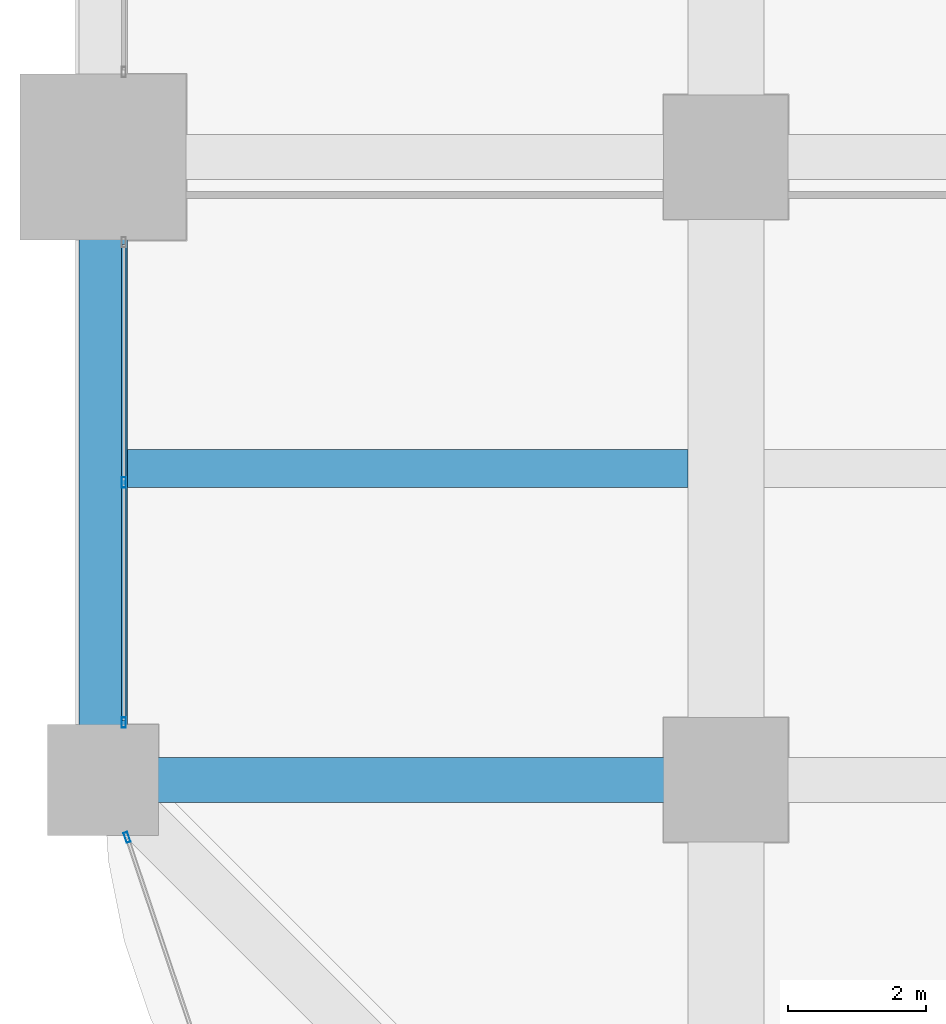
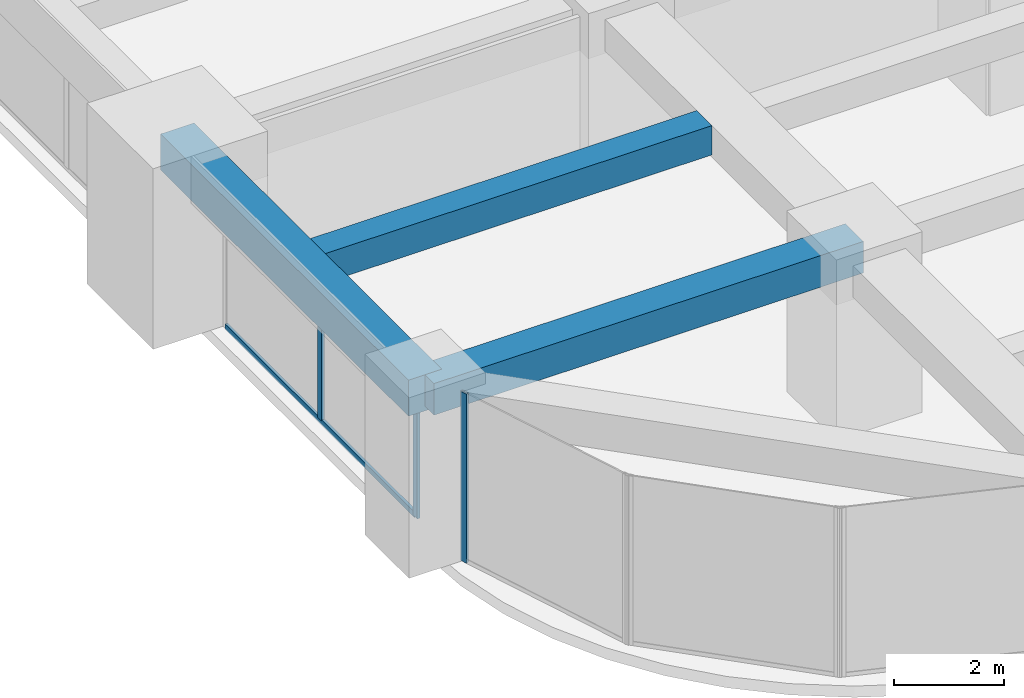
# One storey, part 4 of 39: 4 members, 3 beams, 2 elements without a shape of their own.
"""IFC4 building model written with IfcOpenShell, lengths in metres."""

from ifc_helpers import new_model, si_unit, direction, frame, origin, origin_2d, place, context, subcontext, project, spatial, rectangle, hollow_rectangle, extrude, material, material_profile, profile_set, type_object, element, aggregate, save


model = new_model("IFC4")

# Units and contexts
model_context = context("Model", 3, precision=1e-05, world=origin(), true_north=direction((0.0, 1.0)))
body_context = subcontext(model_context, "Body", "Model", "MODEL_VIEW")
ifc_project = project(units=[si_unit("LENGTHUNIT", "METRE"), si_unit("AREAUNIT", "SQUARE_METRE"), si_unit("VOLUMEUNIT", "CUBIC_METRE"), si_unit("PLANEANGLEUNIT", "RADIAN"), si_unit("MASSUNIT", "GRAM", prefix="KILO")], contexts=[model_context])

# Site, building, storey
site_placement = place(None, origin())
site = spatial("IfcSite", under=ifc_project, at=site_placement, CompositionType="ELEMENT")
building_placement = place(site_placement, origin())
building = spatial("IfcBuilding", under=site, at=building_placement, Name="Zorevar Civic Tower", CompositionType="ELEMENT")
storey_placement = place(building_placement, frame((0.0, 0.0, 125.0)))
storey = spatial("IfcBuildingStorey", under=building, at=storey_placement, Name="L30", CompositionType="ELEMENT", Elevation=125.0)

# Beams
ifc_material_1 = material(Name="Concrete C50/60", Category="concrete")
ifc_material_profile_1 = material_profile(ifc_material_1, rectangle(XDim=0.550048828125, YDim=0.64990234375, at=origin_2d()), Name="RC 550x650")
ifc_profile_set_1 = profile_set([ifc_material_profile_1], Name="Concrete C50/60")
beam_type_1 = type_object("IfcBeamType", Name="Beam RC 550x650", PredefinedType="BEAM", material=ifc_profile_set_1)
beam_1_placement = place(storey_placement, frame((0.35009765625, 13.5, 3.425048828125), z_axis=(1.0, 0.0, 0.0), x_axis=(0.0, 1.0, 0.0)))
element("IfcBeam", 1, at=beam_1_placement, inside=storey, type_object=beam_type_1, Name="Secondary beam L31", PredefinedType="BEAM", context=body_context, shape_type="SweptSolid", body=[
    extrude(rectangle(XDim=0.550048828125, YDim=0.64990234375, at=origin_2d()), origin(), (0.0, 0.0, 1.0), 8.099853515625),
])
ifc_material_2 = material(Name="Concrete C50/60", Category="concrete")
ifc_material_profile_2 = material_profile(ifc_material_2, rectangle(XDim=0.64990234375, YDim=0.699951171875, at=origin_2d()), Name="RC 650x700")
ifc_profile_set_2 = profile_set([ifc_material_profile_2], Name="Concrete C50/60")
beam_type_2 = type_object("IfcBeamType", Name="Beam RC 650x700", PredefinedType="BEAM", material=ifc_profile_set_2)
beam_2_placement = place(storey_placement, frame((0.0, 9.0, 3.39990234375), z_axis=(1.0, 0.0, 0.0), x_axis=(0.0, 1.0, 0.0)))
element("IfcBeam", 2, at=beam_2_placement, inside=storey, type_object=beam_type_2, Name="Girder L31", PredefinedType="BEAM", context=body_context, shape_type="SweptSolid", body=[
    extrude(rectangle(XDim=0.64990234375, YDim=0.699951171875, at=origin_2d()), origin(), (0.0, 0.0, 1.0), 9.0),
])

# Curtain wall, members
ifc_material_3 = material(Name="Dark grey solar-control glass in black aluminium frame", Category="aluminium")
curtain_wall_type = type_object("IfcCurtainWallType", Name="Curtain wall CW3 mid zone", PredefinedType="NOTDEFINED", material=ifc_material_3)
curtain_wall_1_placement = place(storey_placement, origin())
curtain_wall_1 = element("IfcCurtainWall", 3, at=curtain_wall_1_placement, inside=storey, type_object=curtain_wall_type, Name="CW3 L30", PredefinedType="NOTDEFINED")
ifc_material_4 = material(Name="Aluminium, black anodised", Category="aluminium")
ifc_material_profile_3 = material_profile(ifc_material_4, hollow_rectangle(XDim=0.06005859375, YDim=0.14990234375, WallThickness=0.00390625, at=origin_2d()), Name="AL 150x60x4")
ifc_profile_set_3 = profile_set([ifc_material_profile_3], Name="Aluminium, black anodised")
member_type_1 = type_object("IfcMemberType", Name="CW3 mullion AL 150x60x4", PredefinedType="MULLION", material=ifc_profile_set_3)
member_1_placement = place(storey_placement, frame((0.300048828125, 9.830078125, 0.0), z_axis=(0.0, 0.0, 1.0), x_axis=(-1.0, 0.0, 0.0)))
member_1 = element("IfcMember", 4, at=member_1_placement, type_object=member_type_1, Name="CW3 mullion 1", PredefinedType="MULLION", context=body_context, shape_type="SweptSolid", body=[
    extrude(hollow_rectangle(XDim=0.06005859375, YDim=0.14990234375, WallThickness=0.00390625, at=origin_2d()), origin(), (0.0, 0.0, 1.0), 2.949951171875),
])
member_2_placement = place(storey_placement, frame((0.300048828125, 13.300048828125, 0.06005859375), z_axis=(0.0, 0.0, 1.0), x_axis=(-1.0, 0.0, 0.0)))
member_2 = element("IfcMember", 5, at=member_2_placement, type_object=member_type_1, Name="CW3 mullion 2", PredefinedType="MULLION", context=body_context, shape_type="SweptSolid", body=[
    extrude(hollow_rectangle(XDim=0.06005859375, YDim=0.14990234375, WallThickness=0.00390625, at=origin_2d()), origin(), (0.0, 0.0, 1.0), 2.889892578125),
])

# Curtain wall, member
curtain_wall_2_placement = place(storey_placement, origin())
curtain_wall_2 = element("IfcCurtainWall", 6, at=curtain_wall_2_placement, inside=storey, type_object=curtain_wall_type, Name="CW3 L30", PredefinedType="NOTDEFINED")
member_3_placement = place(storey_placement, frame((0.346435546875, 8.171630859375, 0.0), z_axis=(0.0, 0.0, 1.0), x_axis=(0.948227238701, 0.317592669603, 0.0)))
member_3 = element("IfcMember", 7, at=member_3_placement, type_object=member_type_1, Name="CW3 mullion 1", PredefinedType="MULLION", context=body_context, shape_type="SweptSolid", body=[
    extrude(hollow_rectangle(XDim=0.06005859375, YDim=0.14990234375, WallThickness=0.00390625, at=origin_2d()), origin(), (0.0, 0.0, 1.0), 3.75),
])
aggregate(curtain_wall_2, [member_3])

# Member
ifc_material_5 = material(Name="Aluminium, black anodised", Category="aluminium")
ifc_material_profile_4 = material_profile(ifc_material_5, hollow_rectangle(XDim=0.06005859375, YDim=0.1201171875, WallThickness=0.0029296875, at=origin_2d()), Name="AL 120x60x3")
ifc_profile_set_4 = profile_set([ifc_material_profile_4], Name="Aluminium, black anodised")
member_type_2 = type_object("IfcMemberType", Name="CW3 transom AL 120x60x3", PredefinedType="USERDEFINED", material=ifc_profile_set_4)
member_4_placement = place(storey_placement, frame((0.300048828125, 9.860107421875, 0.030029296875), z_axis=(0.0, 1.0, 0.0), x_axis=(-1.0, 0.0, 0.0)))
member_4 = element("IfcMember", 8, at=member_4_placement, type_object=member_type_2, Name="CW3 sill transom", ObjectType="TRANSOM", PredefinedType="USERDEFINED", context=body_context, shape_type="SweptSolid", body=[
    extrude(hollow_rectangle(XDim=0.06005859375, YDim=0.1201171875, WallThickness=0.0029296875, at=origin_2d()), origin(), (0.0, 0.0, 1.0), 6.8798828125),
])

aggregate(curtain_wall_1, [member_1, member_2, member_4])

# Beam
ifc_material_6 = material(Name="Concrete C50/60", Category="concrete")
ifc_material_profile_5 = material_profile(ifc_material_6, rectangle(XDim=0.699951171875, YDim=0.800048828125, at=origin_2d()), Name="RC 700x800")
ifc_profile_set_5 = profile_set([ifc_material_profile_5], Name="Concrete C50/60")
beam_type_3 = type_object("IfcBeamType", Name="Edge beam RC 700x800", PredefinedType="SPANDREL", material=ifc_profile_set_5)
beam_3_placement = place(storey_placement, frame((0.0, 9.0, 3.35009765625), z_axis=(0.0, 1.0, 0.0), x_axis=(-1.0, 0.0, 0.0)))
element("IfcBeam", 9, at=beam_3_placement, inside=storey, type_object=beam_type_3, Name="Edge beam L31", PredefinedType="SPANDREL", context=body_context, shape_type="SweptSolid", body=[
    extrude(rectangle(XDim=0.699951171875, YDim=0.800048828125, at=origin_2d()), origin(), (0.0, 0.0, 1.0), 9.0),
])

save(model, "model.ifc")
